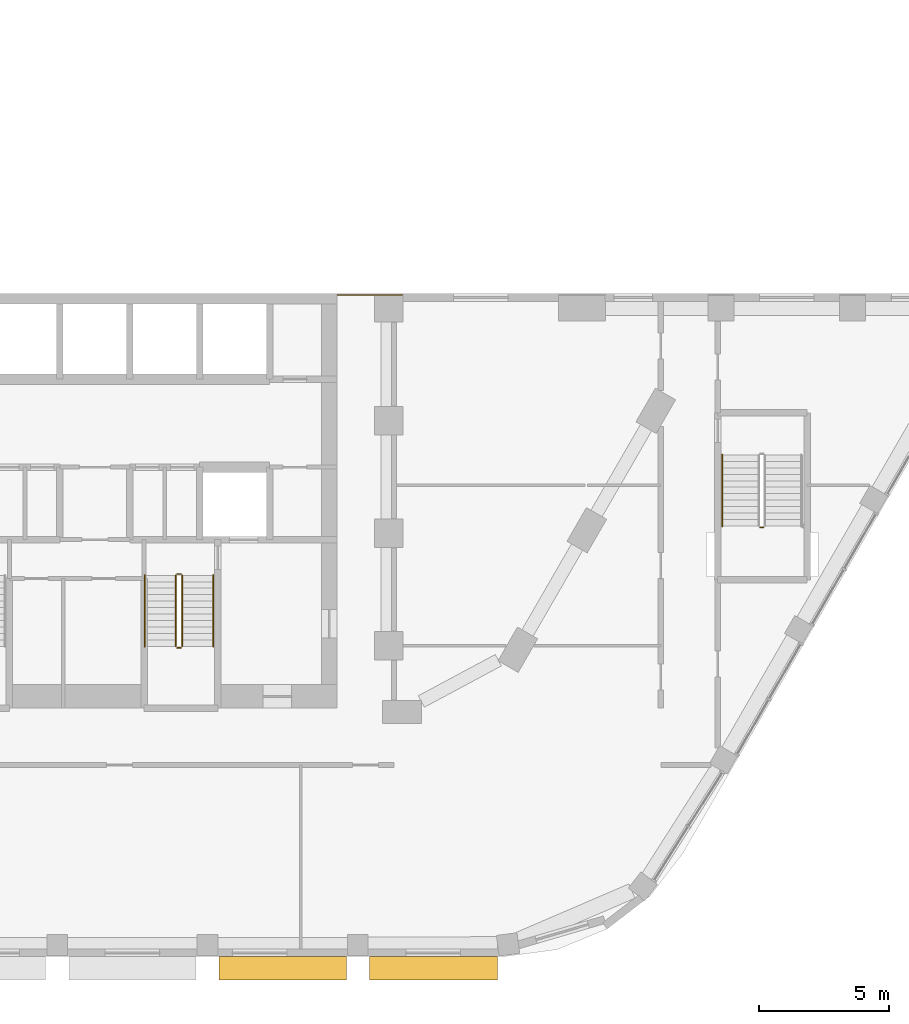
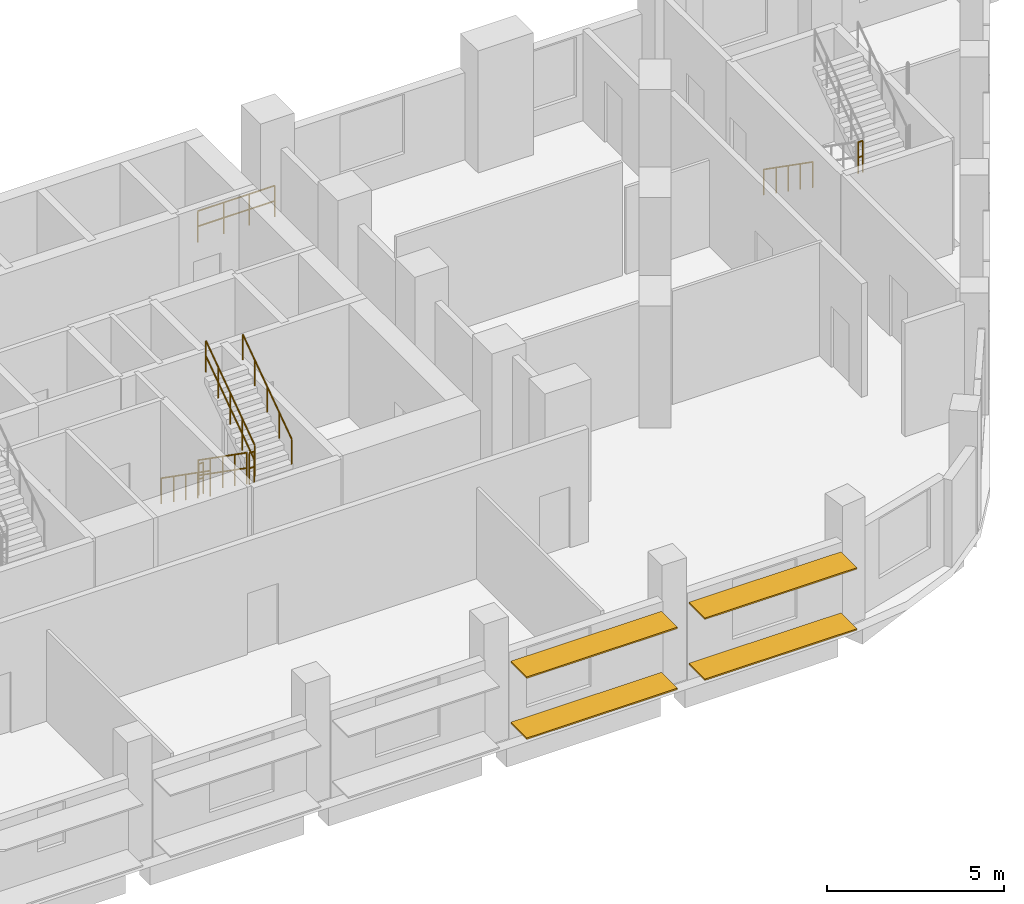
# One storey, part 36 of 45: 9 railings, 4 shading devices.
"""IFC4 building model written with IfcOpenShell, lengths in metres."""

from ifc_helpers import new_model, si_unit, direction, frame, origin, origin_2d, place, context, subcontext, project, spatial, rectangle, circle, extrude, material, material_profile, profile_set, type_object, element, save


model = new_model("IFC4")

# Units and contexts
model_context = context("Model", 3, precision=1e-05, world=origin(), true_north=direction((0.0, 1.0)))
body_context = subcontext(model_context, "Body", "Model", "MODEL_VIEW")
ifc_project = project(units=[si_unit("LENGTHUNIT", "METRE"), si_unit("AREAUNIT", "SQUARE_METRE"), si_unit("VOLUMEUNIT", "CUBIC_METRE"), si_unit("PLANEANGLEUNIT", "RADIAN"), si_unit("MASSUNIT", "GRAM", prefix="KILO")], contexts=[model_context])

# Site, building, storey
site_placement = place(None, origin())
site = spatial("IfcSite", under=ifc_project, at=site_placement, CompositionType="ELEMENT")
building_placement = place(site_placement, origin())
building = spatial("IfcBuilding", under=site, at=building_placement, Name="Nakaniwa Court", CompositionType="ELEMENT")
storey_placement = place(building_placement, frame((0.0, 0.0, 11.39990234375)))
storey = spatial("IfcBuildingStorey", under=building, at=storey_placement, Name="L02", CompositionType="ELEMENT", Elevation=11.39990234375)

# Shading devices
ifc_material_1 = material(Name="Perforated charcoal ceramic louvre blade")
ifc_material_profile = material_profile(ifc_material_1, rectangle(XDim=0.89990234375, YDim=0.050048828125, at=origin_2d()), Name="Perforated ceramic louvre blade")
ifc_profile_set = profile_set([ifc_material_profile], Name="Perforated charcoal ceramic louvre blade")
shading_device_type = type_object("IfcShadingDeviceType", Name="Perforated ceramic louvre blade", PredefinedType="JALOUSIE", material=ifc_profile_set)
for number, where, z_axis, x_axis, name in (
    (1, (83.448486328125, 46.550048828125, 0.550048828125), (1.0, 0.0, 0.0), (0.0, 1.0, 0.0), "L02 perforated ceramic louvre blade w22 1"),
    (2, (83.448486328125, 46.550048828125, 2.650146484375), (1.0, 0.0, 0.0), (0.0, 1.0, 0.0), "L02 perforated ceramic louvre blade w22 2"),
):
    element("IfcShadingDevice", number, at=place(storey_placement, frame(where, z_axis=z_axis, x_axis=x_axis)), inside=storey, type_object=shading_device_type, Name=name, PredefinedType="JALOUSIE", context=body_context, shape_type="SweptSolid", body=[
        extrude(rectangle(XDim=0.89990234375, YDim=0.050048828125, at=origin_2d()), origin(), (0.0, 0.0, 1.0), 4.910400390625),
    ])
for number, where, z_axis, x_axis, name in (
    (3, (89.250732421875, 46.550048828125, 0.550048828125), (1.0, 0.0, 0.0), (0.0, 1.0, 0.0), "L02 perforated ceramic louvre blade w23 1"),
    (4, (89.250732421875, 46.550048828125, 2.650146484375), (1.0, 0.0, 0.0), (0.0, 1.0, 0.0), "L02 perforated ceramic louvre blade w23 2"),
):
    element("IfcShadingDevice", number, at=place(storey_placement, frame(where, z_axis=z_axis, x_axis=x_axis)), inside=storey, type_object=shading_device_type, Name=name, PredefinedType="JALOUSIE", context=body_context, shape_type="SweptSolid", body=[
        extrude(rectangle(XDim=0.89990234375, YDim=0.050048828125, at=origin_2d()), origin(), (0.0, 0.0, 1.0), 4.947998046875),
    ])

# Railings
ifc_material_2 = material(Name="Black powder coated steel guard", Category="steel")
railing_type_1 = type_object("IfcRailingType", Name="Stair guard 1100", PredefinedType="GUARDRAIL", material=ifc_material_2)
railing_1_placement = place(storey_placement, frame((81.77490234375, 61.72509765625, 0.175048828125)))
element("IfcRailing", 5, at=railing_1_placement, inside=storey, type_object=railing_type_1, Name="L02 ST4 stair guard 1", PredefinedType="GUARDRAIL", context=body_context, shape_type="SweptSolid", body=[
    extrude(circle(Radius=0.02392578125, at=origin_2d()), frame((0.0, 0.0, 1.076171875), z_axis=(0.0, -0.819225086817, 0.573472106672), x_axis=(1.0, 0.0, 0.0)), (0.0, 0.0, 1.0), 3.35693359375),
    extrude(circle(Radius=0.02392578125, at=origin_2d()), frame((0.0, 0.0, 0.550048828125), z_axis=(0.0, -0.819225086817, 0.573472106672), x_axis=(1.0, 0.0, 0.0)), (0.0, 0.0, 1.0), 3.35693359375),
    extrude(circle(Radius=0.02099609375, at=origin_2d()), origin(), (0.0, 0.0, 1.0), 1.052001953125),
    extrude(circle(Radius=0.02099609375, at=origin_2d()), frame((0.0, -0.6875, 0.481201171875)), (0.0, 0.0, 1.0), 1.052001953125),
    extrude(circle(Radius=0.02099609375, at=origin_2d()), frame((0.0, -1.375, 0.96240234375)), (0.0, 0.0, 1.0), 1.052001953125),
    extrude(circle(Radius=0.02099609375, at=origin_2d()), frame((0.0, -2.0625, 1.44384765625)), (0.0, 0.0, 1.0), 1.052001953125),
    extrude(circle(Radius=0.02099609375, at=origin_2d()), frame((0.0, -2.75, 1.925048828125)), (0.0, 0.0, 1.0), 1.052001953125),
])
railing_2_placement = place(storey_placement, frame((81.824951171875, 58.925048828125, 2.10009765625)))
element("IfcRailing", 6, at=railing_2_placement, inside=storey, type_object=railing_type_1, Name="L02 ST4 stair guard 2", PredefinedType="GUARDRAIL", context=body_context, shape_type="SweptSolid", body=[
    extrude(circle(Radius=0.02392578125, at=origin_2d()), frame((0.0, 0.0, 1.076171875), z_axis=(1.0, 0.0, 0.0), x_axis=(0.0, 1.0, 0.0)), (0.0, 0.0, 1.0), 0.150146484375),
    extrude(circle(Radius=0.02392578125, at=origin_2d()), frame((0.0, 0.0, 0.550048828125), z_axis=(1.0, 0.0, 0.0), x_axis=(0.0, 1.0, 0.0)), (0.0, 0.0, 1.0), 0.150146484375),
    extrude(circle(Radius=0.02099609375, at=origin_2d()), origin(), (0.0, 0.0, 1.0), 1.052001953125),
    extrude(circle(Radius=0.02099609375, at=origin_2d()), frame((0.150146484375, 0.0, 0.0)), (0.0, 0.0, 1.0), 1.052001953125),
])
railing_3_placement = place(storey_placement, frame((82.02490234375, 58.97509765625, 2.275146484375)))
element("IfcRailing", 7, at=railing_3_placement, inside=storey, type_object=railing_type_1, Name="L02 ST4 stair guard 3", PredefinedType="GUARDRAIL", context=body_context, shape_type="SweptSolid", body=[
    extrude(circle(Radius=0.02392578125, at=origin_2d()), frame((0.0, 0.0, 1.076171875), z_axis=(0.0, 0.819225086817, 0.573472106672), x_axis=(-1.0, 0.0, 0.0)), (0.0, 0.0, 1.0), 3.35693359375),
    extrude(circle(Radius=0.02392578125, at=origin_2d()), frame((0.0, 0.0, 0.550048828125), z_axis=(0.0, 0.819225086817, 0.573472106672), x_axis=(-1.0, 0.0, 0.0)), (0.0, 0.0, 1.0), 3.35693359375),
    extrude(circle(Radius=0.02099609375, at=origin_2d()), origin(), (0.0, 0.0, 1.0), 1.052001953125),
    extrude(circle(Radius=0.02099609375, at=origin_2d()), frame((0.0, 0.6875, 0.481201171875)), (0.0, 0.0, 1.0), 1.052001953125),
    extrude(circle(Radius=0.02099609375, at=origin_2d()), frame((0.0, 1.375, 0.96240234375)), (0.0, 0.0, 1.0), 1.052001953125),
    extrude(circle(Radius=0.02099609375, at=origin_2d()), frame((0.0, 2.0625, 1.44384765625)), (0.0, 0.0, 1.0), 1.052001953125),
    extrude(circle(Radius=0.02099609375, at=origin_2d()), frame((0.0, 2.75, 1.925048828125)), (0.0, 0.0, 1.0), 1.052001953125),
])
for number, where, name in (
    (8, (81.824951171875, 61.77490234375, 0.0), "L02 ST4 stair guard 4"),
    (9, (104.324951171875, 63.574951171875, 2.10009765625), "L02 SS3 stair guard 2"),
):
    element("IfcRailing", number, at=place(storey_placement, frame(where)), inside=storey, type_object=railing_type_1, Name=name, PredefinedType="GUARDRAIL", context=body_context, shape_type="SweptSolid", body=[
        extrude(circle(Radius=0.02392578125, at=origin_2d()), frame((0.0, 0.0, 1.076171875), z_axis=(1.0, 0.0, 0.0), x_axis=(0.0, 1.0, 0.0)), (0.0, 0.0, 1.0), 0.150146484375),
        extrude(circle(Radius=0.02392578125, at=origin_2d()), frame((0.0, 0.0, 0.550048828125), z_axis=(1.0, 0.0, 0.0), x_axis=(0.0, 1.0, 0.0)), (0.0, 0.0, 1.0), 0.150146484375),
        extrude(circle(Radius=0.02099609375, at=origin_2d()), origin(), (0.0, 0.0, 1.0), 1.052001953125),
        extrude(circle(Radius=0.02099609375, at=origin_2d()), frame((0.150146484375, 0.0, 0.0)), (0.0, 0.0, 1.0), 1.052001953125),
    ])
railing_4_placement = place(storey_placement, frame((88.014892578125, 72.550048828125, 0.0)))
element("IfcRailing", 10, at=railing_4_placement, inside=storey, type_object=railing_type_1, Name="GUARD GD-L02-026", PredefinedType="GUARDRAIL", context=body_context, shape_type="SweptSolid", body=[
    extrude(circle(Radius=0.02392578125, at=origin_2d()), frame((0.0, 0.0, 1.076171875), z_axis=(1.0, 0.0, 0.0), x_axis=(0.0, 1.0, 0.0)), (0.0, 0.0, 1.0), 2.507080078125),
    extrude(circle(Radius=0.02392578125, at=origin_2d()), frame((0.0, 0.0, 0.550048828125), z_axis=(1.0, 0.0, 0.0), x_axis=(0.0, 1.0, 0.0)), (0.0, 0.0, 1.0), 2.507080078125),
    extrude(circle(Radius=0.02099609375, at=origin_2d()), origin(), (0.0, 0.0, 1.0), 1.052001953125),
    extrude(circle(Radius=0.02099609375, at=origin_2d()), frame((0.835693359375, 0.0, 0.0)), (0.0, 0.0, 1.0), 1.052001953125),
    extrude(circle(Radius=0.02099609375, at=origin_2d()), frame((1.67138671875, 0.0, 0.0)), (0.0, 0.0, 1.0), 1.052001953125),
    extrude(circle(Radius=0.02099609375, at=origin_2d()), frame((2.507080078125, 0.0, 0.0)), (0.0, 0.0, 1.0), 1.052001953125),
])
ifc_material_3 = material(Name="Black powder coated steel handrail", Category="steel")
railing_type_2 = type_object("IfcRailingType", Name="Stair handrail 900", PredefinedType="HANDRAIL", material=ifc_material_3)
railing_5_placement = place(storey_placement, frame((80.574951171875, 61.72509765625, 0.175048828125)))
element("IfcRailing", 11, at=railing_5_placement, inside=storey, type_object=railing_type_2, Name="L02 ST4 stair handrail 1", PredefinedType="HANDRAIL", context=body_context, shape_type="SweptSolid", body=[
    extrude(circle(Radius=0.02392578125, at=origin_2d()), frame((0.0, 0.0, 0.8759765625), z_axis=(0.0, -0.819225086817, 0.573472106672), x_axis=(1.0, 0.0, 0.0)), (0.0, 0.0, 1.0), 3.35693359375),
    extrude(circle(Radius=0.02099609375, at=origin_2d()), origin(), (0.0, 0.0, 1.0), 0.851806640625),
    extrude(circle(Radius=0.02099609375, at=origin_2d()), frame((0.0, -0.6875, 0.481201171875)), (0.0, 0.0, 1.0), 0.851806640625),
    extrude(circle(Radius=0.02099609375, at=origin_2d()), frame((0.0, -1.375, 0.96240234375)), (0.0, 0.0, 1.0), 0.851806640625),
    extrude(circle(Radius=0.02099609375, at=origin_2d()), frame((0.0, -2.0625, 1.44384765625)), (0.0, 0.0, 1.0), 0.851806640625),
    extrude(circle(Radius=0.02099609375, at=origin_2d()), frame((0.0, -2.75, 1.925048828125)), (0.0, 0.0, 1.0), 0.851806640625),
])
railing_6_placement = place(storey_placement, frame((83.22509765625, 58.97509765625, 2.275146484375)))
element("IfcRailing", 12, at=railing_6_placement, inside=storey, type_object=railing_type_2, Name="L02 ST4 stair handrail 2", PredefinedType="HANDRAIL", context=body_context, shape_type="SweptSolid", body=[
    extrude(circle(Radius=0.02392578125, at=origin_2d()), frame((0.0, 0.0, 0.8759765625), z_axis=(0.0, 0.819225086817, 0.573472106672), x_axis=(-1.0, 0.0, 0.0)), (0.0, 0.0, 1.0), 3.35693359375),
    extrude(circle(Radius=0.02099609375, at=origin_2d()), origin(), (0.0, 0.0, 1.0), 0.851806640625),
    extrude(circle(Radius=0.02099609375, at=origin_2d()), frame((0.0, 0.6875, 0.481201171875)), (0.0, 0.0, 1.0), 0.851806640625),
    extrude(circle(Radius=0.02099609375, at=origin_2d()), frame((0.0, 1.375, 0.96240234375)), (0.0, 0.0, 1.0), 0.851806640625),
    extrude(circle(Radius=0.02099609375, at=origin_2d()), frame((0.0, 2.0625, 1.44384765625)), (0.0, 0.0, 1.0), 0.851806640625),
    extrude(circle(Radius=0.02099609375, at=origin_2d()), frame((0.0, 2.75, 1.925048828125)), (0.0, 0.0, 1.0), 0.851806640625),
])
railing_7_placement = place(storey_placement, frame((102.875, 66.375, 0.175048828125)))
element("IfcRailing", 13, at=railing_7_placement, inside=storey, type_object=railing_type_2, Name="L02 SS3 stair handrail 1", PredefinedType="HANDRAIL", context=body_context, shape_type="SweptSolid", body=[
    extrude(circle(Radius=0.02392578125, at=origin_2d()), frame((0.0, 0.0, 0.8759765625), z_axis=(0.0, -0.819225086817, 0.573472106672), x_axis=(1.0, 0.0, 0.0)), (0.0, 0.0, 1.0), 3.35693359375),
    extrude(circle(Radius=0.02099609375, at=origin_2d()), origin(), (0.0, 0.0, 1.0), 0.851806640625),
    extrude(circle(Radius=0.02099609375, at=origin_2d()), frame((0.0, -0.6875, 0.481201171875)), (0.0, 0.0, 1.0), 0.851806640625),
    extrude(circle(Radius=0.02099609375, at=origin_2d()), frame((0.0, -1.375, 0.96240234375)), (0.0, 0.0, 1.0), 0.851806640625),
    extrude(circle(Radius=0.02099609375, at=origin_2d()), frame((0.0, -2.0625, 1.44384765625)), (0.0, 0.0, 1.0), 0.851806640625),
    extrude(circle(Radius=0.02099609375, at=origin_2d()), frame((0.0, -2.75, 1.925048828125)), (0.0, 0.0, 1.0), 0.851806640625),
])

save(model, "model.ifc")
